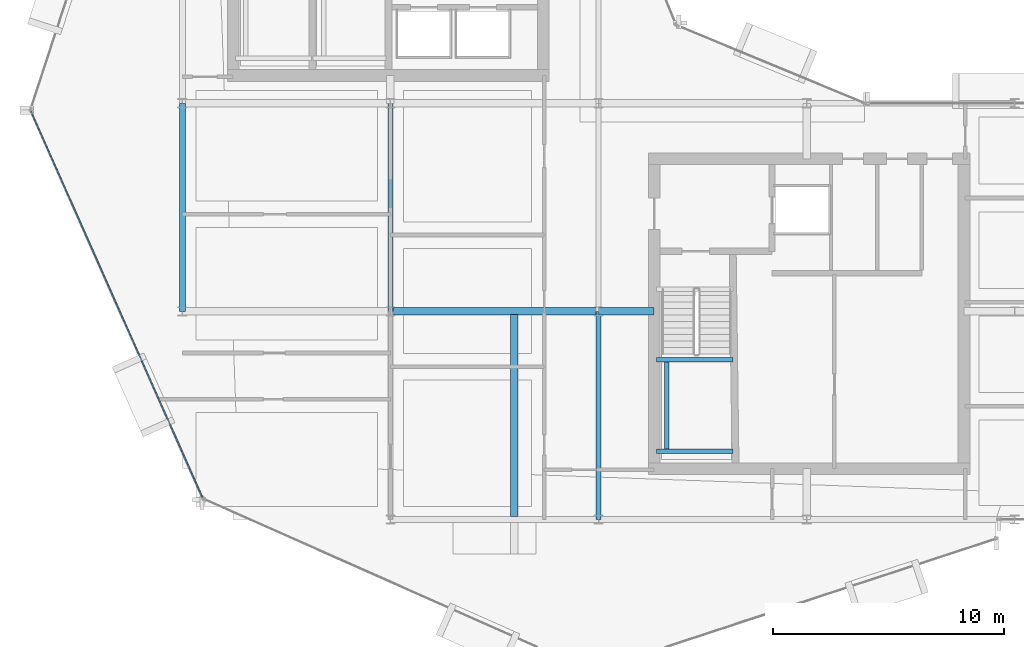
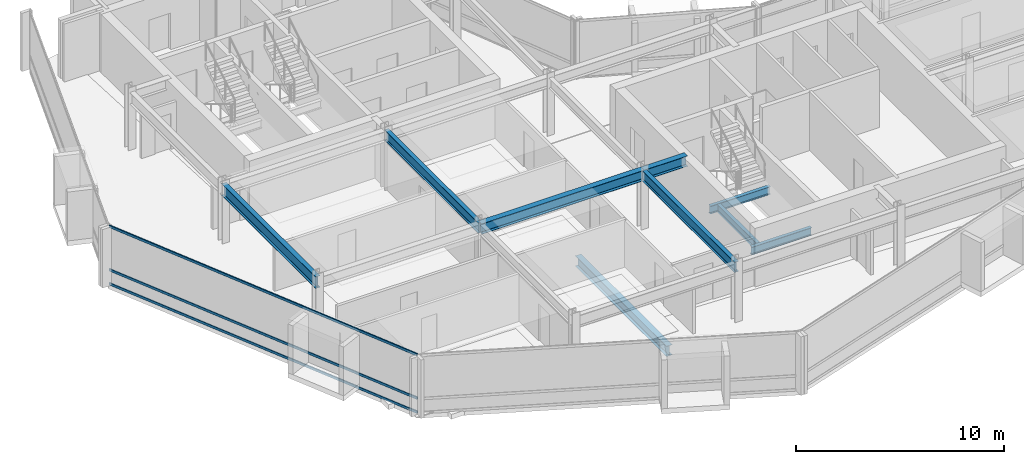
# One storey, part 5 of 28: 9 beams, 3 members, 1 element without a shape of its own.
"""IFC4 building model written with IfcOpenShell, lengths in metres."""

import ifcopenshell
import ifcopenshell.guid

model = None  # the IFC model being written
_history = None  # IfcOwnerHistory: only IFC2X3 demands one
_inside = {}  # id of a spatial element -> (the spatial element, [elements in it])
_under = {}  # id of a project, library or spatial element -> (it, [spatial elements below it])
_declared = {}  # id of a project -> (the project, [libraries it declares])
_typed = {}  # id of a type object -> (the type object, [elements of that type])
_made_of = {}  # id of a material, layer set ... -> (it, [elements and type objects made of it])


def new_model(schema):
    """Start an empty IFC model of exactly this schema.

    Asked for "IFC4X3", IfcOpenShell would pick the latest addendum, in which some entities
    have other attributes; the version numbers below select the first issue.
    IFC2X3 requires an IfcOwnerHistory on every rooted entity: one is made here for all.
    """
    global model, _history
    if schema == "IFC4X3":
        model = ifcopenshell.file(schema_version=(4, 3, 0, 0))
    else:
        model = ifcopenshell.file(schema=schema)
    _inside.clear()
    _under.clear()
    _declared.clear()
    _typed.clear()
    _made_of.clear()
    _history = None
    if model.schema == "IFC2X3":
        org = make("IfcOrganization", Name="unknown")
        user = make(
            "IfcPersonAndOrganization",
            ThePerson=make("IfcPerson", FamilyName="unknown"),
            TheOrganization=org,
        )
        app = make(
            "IfcApplication",
            ApplicationDeveloper=org,
            Version="unknown",
            ApplicationFullName="unknown",
            ApplicationIdentifier="unknown",
        )
        _history = make(
            "IfcOwnerHistory",
            OwningUser=user,
            OwningApplication=app,
            ChangeAction="ADDED",
            CreationDate=0,
        )
    return model


def make(cls, **values):
    """One entity of the class cls with the attributes given. An attribute that is None is left unset."""
    return model.create_entity(
        cls, **{name: value for name, value in values.items() if value is not None}
    )


def rooted(cls, **values):
    """An entity with a GlobalId (a new one), such as an element, a storey or a relation."""
    return make(cls, GlobalId=ifcopenshell.guid.new(), OwnerHistory=_history, **values)


def si_unit(unit_type, name, prefix=None):
    """IfcSIUnit, for example si_unit("LENGTHUNIT", "METRE", prefix="MILLI")."""
    return make("IfcSIUnit", UnitType=unit_type, Prefix=prefix, Name=name)


def assignment(units):
    """IfcUnitAssignment: the units of a project."""
    return None if units is None else make("IfcUnitAssignment", Units=units)


def point(xyz):
    """IfcCartesianPoint."""
    return None if xyz is None else make("IfcCartesianPoint", Coordinates=xyz)


def direction(xyz):
    """IfcDirection."""
    return None if xyz is None else make("IfcDirection", DirectionRatios=xyz)


def frame(location, z_axis=None, x_axis=None):
    """IfcAxis2Placement3D, a coordinate frame: its origin and axes. An axis left out is left unset."""
    return make(
        "IfcAxis2Placement3D",
        Location=point(location),
        Axis=direction(z_axis),
        RefDirection=direction(x_axis),
    )


def frame_2d(location, x_axis=None):
    """IfcAxis2Placement2D, a coordinate frame in the plane: its origin and x axis."""
    return make(
        "IfcAxis2Placement2D", Location=point(location), RefDirection=direction(x_axis)
    )


def origin():
    """The frame at (0, 0, 0) with its axes left unset."""
    return frame((0.0, 0.0, 0.0))


def origin_2d():
    """The frame at (0, 0) in the plane with its x axis left unset."""
    return frame_2d((0.0, 0.0))


def place(relative_to, where):
    """IfcLocalPlacement: puts the frame where relative to a parent placement (None: the world)."""
    return make(
        "IfcLocalPlacement", PlacementRelTo=relative_to, RelativePlacement=where
    )


def context(
    kind, dimensions, precision=None, world=None, true_north=None, identifier=None
):
    """IfcGeometricRepresentationContext, for example the 3D "Model" context."""
    return make(
        "IfcGeometricRepresentationContext",
        ContextIdentifier=identifier,
        ContextType=kind,
        CoordinateSpaceDimension=dimensions,
        Precision=precision,
        WorldCoordinateSystem=world,
        TrueNorth=true_north,
    )


def subcontext(parent, identifier, kind, view, scale=None):
    """IfcGeometricRepresentationSubContext, for example "Body" below "Model"."""
    return make(
        "IfcGeometricRepresentationSubContext",
        ContextIdentifier=identifier,
        ContextType=kind,
        ParentContext=parent,
        TargetScale=scale,
        TargetView=view,
    )


def project(units=None, contexts=None):
    """IfcProject with its units and contexts."""
    return rooted(
        "IfcProject",
        Name="project",
        RepresentationContexts=contexts,
        UnitsInContext=assignment(units),
    )


def spatial(cls, under=None, at=None, **own):
    """A site, building, storey or space (cls), placed at a placement, below another one or the project."""
    s = rooted(cls, ObjectPlacement=at, **own)
    if under is not None:
        _under.setdefault(under.id(), (under, []))[1].append(s)
    return s


def profile(cls, at=None, kind="AREA", **sizes):
    """A parametric profile (cls). Its sizes go by their IFC names, for example OverallWidth=200.0."""
    return make(cls, ProfileType=kind, Position=at, **sizes)


def hollow_rectangle(**sizes):
    """IfcRectangleHollowProfileDef."""
    return profile("IfcRectangleHollowProfileDef", **sizes)


def i_section(**sizes):
    """IfcIShapeProfileDef."""
    return profile("IfcIShapeProfileDef", **sizes)


def extrude(swept, where, along, depth):
    """IfcExtrudedAreaSolid: the profile swept, set in the frame where, extruded along a direction by depth."""
    return make(
        "IfcExtrudedAreaSolid",
        SweptArea=swept,
        Position=where,
        ExtrudedDirection=direction(along),
        Depth=depth,
    )


def shape(context_of_items, identifier, shape_type, items):
    """IfcShapeRepresentation: the items that make up one representation, for example the "Body"."""
    return make(
        "IfcShapeRepresentation",
        ContextOfItems=context_of_items,
        RepresentationIdentifier=identifier,
        RepresentationType=shape_type,
        Items=items,
    )


def material(Name=None, Category=None):
    """IfcMaterial."""
    return make("IfcMaterial", Name=Name, Category=Category)


def layer(
    of_material, thickness, ventilated=None, Name=None, Category=None, Priority=None
):
    """IfcMaterialLayer: one layer of a wall or slab, of a material (None: an air gap)."""
    return make(
        "IfcMaterialLayer",
        Material=of_material,
        LayerThickness=thickness,
        IsVentilated=ventilated,
        Name=Name,
        Category=Category,
        Priority=Priority,
    )


def layer_set(layers, Name=None):
    """IfcMaterialLayerSet."""
    return make("IfcMaterialLayerSet", MaterialLayers=layers, LayerSetName=Name)


def material_profile(
    of_material, cross_section, Name=None, Category=None, Priority=None
):
    """IfcMaterialProfile: a cross section and its material."""
    return make(
        "IfcMaterialProfile",
        Name=Name,
        Material=of_material,
        Profile=cross_section,
        Priority=Priority,
        Category=Category,
    )


def profile_set(profiles, Name=None, composite=None):
    """IfcMaterialProfileSet."""
    return make(
        "IfcMaterialProfileSet",
        Name=Name,
        MaterialProfiles=profiles,
        CompositeProfile=composite,
    )


def made_of(thing, what):
    """Note that an element or type object is made of a material, layer set ...; save() writes the relation."""
    if what is not None:
        _made_of.setdefault(what.id(), (what, []))[1].append(thing)
    return thing


def type_object(cls, material=None, **own):
    """A type object (cls), such as IfcWallType, which elements share."""
    return made_of(rooted(cls, **own), material)


def element(
    cls,
    number,
    at=None,
    inside=None,
    cuts=None,
    type_object=None,
    material=None,
    context=None,
    identifier="Body",
    shape_type=None,
    held_by="IfcProductDefinitionShape",
    body=None,
    shapes=None,
    **own,
):
    """One element of the class cls, such as IfcWall. Its Tag is "e" and its number.

    at: its placement. inside: the storey or other place that contains it. cuts: it is an
    opening in that element (IfcRelVoidsElement). A single representation is given by context,
    identifier, shape_type and body (its items); several are given by shapes. held_by: the class
    of the entity that holds the representations. save() writes the other relations.
    """
    e = rooted(cls, Tag="e%d" % number, ObjectPlacement=at, **own)
    if body is not None:
        shapes = [shape(context, identifier, shape_type, body)]
    if shapes is not None:
        e.Representation = make(held_by, Representations=shapes)
    if inside is not None:
        _inside.setdefault(inside.id(), (inside, []))[1].append(e)
    if cuts is not None:
        rooted(
            "IfcRelVoidsElement", RelatingBuildingElement=cuts, RelatedOpeningElement=e
        )
    if type_object is not None:
        _typed.setdefault(type_object.id(), (type_object, []))[1].append(e)
    return made_of(e, material)


def aggregate(whole, parts):
    """IfcRelAggregates: a whole, such as a stair, and the parts it consists of."""
    return rooted("IfcRelAggregates", RelatingObject=whole, RelatedObjects=parts)


def save(model, path):
    """Write the relations noted so far, then the file.

    IfcRelAggregates (storeys below a building ...), IfcRelContainedInSpatialStructure (elements
    in a storey), IfcRelDefinesByType, IfcRelAssociatesMaterial and IfcRelDeclares: one each for
    every whole, place, type object, material and project.
    """
    for whole, parts in _under.values():
        aggregate(whole, parts)
    for where, things in _inside.values():
        rooted(
            "IfcRelContainedInSpatialStructure",
            RelatedElements=things,
            RelatingStructure=where,
        )
    for kind, things in _typed.values():
        rooted("IfcRelDefinesByType", RelatedObjects=things, RelatingType=kind)
    for what, things in _made_of.values():
        rooted("IfcRelAssociatesMaterial", RelatedObjects=things, RelatingMaterial=what)
    for by, libraries in _declared.values():
        rooted("IfcRelDeclares", RelatingContext=by, RelatedDefinitions=libraries)
    model.write(path)


model = new_model("IFC4")

# Units and contexts
model_context = context("Model", 3, precision=1e-05, world=origin(), true_north=direction((0.0, 1.0)))
body_context = subcontext(model_context, "Body", "Model", "MODEL_VIEW")
ifc_project = project(units=[si_unit("LENGTHUNIT", "METRE"), si_unit("AREAUNIT", "SQUARE_METRE"), si_unit("VOLUMEUNIT", "CUBIC_METRE"), si_unit("PLANEANGLEUNIT", "RADIAN"), si_unit("MASSUNIT", "GRAM", prefix="KILO")], contexts=[model_context])

# Site, building, storey
site_placement = place(None, origin())
site = spatial("IfcSite", under=ifc_project, at=site_placement, CompositionType="ELEMENT")
building_placement = place(site_placement, origin())
building = spatial("IfcBuilding", under=site, at=building_placement, Name="Solvaryn Broadcast Tower", CompositionType="ELEMENT")
storey_placement = place(building_placement, frame((0.0, 0.0, 217.300048828125)))
storey = spatial("IfcBuildingStorey", under=building, at=storey_placement, Name="L54", CompositionType="ELEMENT", Elevation=217.300048828125)

# Beams
ifc_material_1 = material(Name="Steel ASTM A992 Grade 50", Category="steel")
ifc_material_profile_1 = material_profile(ifc_material_1, i_section(OverallWidth=0.323974609375, OverallDepth=0.611083984375, WebThickness=0.0126953125, FlangeThickness=0.01904296875, FilletRadius=0.014892578125, at=origin_2d()))
ifc_profile_set_1 = profile_set([ifc_material_profile_1], Name="Steel ASTM A992 Grade 50")
beam_type_1 = type_object("IfcBeamType", Name="BM-B1-W24X104", PredefinedType="BEAM", material=ifc_profile_set_1)
beam_1_placement = place(storey_placement, frame((23.35009765625, 17.875, -0.58544921875), z_axis=(0.0, -1.0, 0.0), x_axis=(1.0, 0.0, 0.0)))
element("IfcBeam", 1, at=beam_1_placement, inside=storey, type_object=beam_type_1, Name="L54 Bay-Box Back-Span Beam 1", PredefinedType="BEAM", context=body_context, shape_type="SweptSolid", body=[
    extrude(i_section(OverallWidth=0.323974609375, OverallDepth=0.611083984375, WebThickness=0.0126953125, FlangeThickness=0.01904296875, FilletRadius=0.014892578125, at=origin_2d()), origin(), (0.0, 0.0, 1.0), 8.75),
])
beam_2_placement = place(storey_placement, frame((18.0, 18.0, 3.114501953125), z_axis=(1.0, 0.0, 0.0), x_axis=(0.0, 1.0, 0.0)))
element("IfcBeam", 2, at=beam_2_placement, inside=storey, type_object=beam_type_1, Name="L54 Primary Beam X (18-27 @ Y=18)", PredefinedType="BEAM", context=body_context, shape_type="SweptSolid", body=[
    extrude(i_section(OverallWidth=0.323974609375, OverallDepth=0.611083984375, WebThickness=0.0126953125, FlangeThickness=0.01904296875, FilletRadius=0.014892578125, at=origin_2d()), origin(), (0.0, 0.0, 1.0), 9.0),
])
beam_3_placement = place(storey_placement, frame((27.0, 18.0, 3.114501953125), z_axis=(1.0, 0.0, 0.0), x_axis=(0.0, 1.0, 0.0)))
element("IfcBeam", 3, at=beam_3_placement, inside=storey, type_object=beam_type_1, Name="L54 Core Tie Beam CTE4", PredefinedType="BEAM", context=body_context, shape_type="SweptSolid", body=[
    extrude(i_section(OverallWidth=0.323974609375, OverallDepth=0.611083984375, WebThickness=0.0126953125, FlangeThickness=0.01904296875, FilletRadius=0.014892578125, at=origin_2d()), origin(), (0.0, 0.0, 1.0), 2.39990234375),
])
ifc_material_2 = material(Name="Steel ASTM A992 Grade 50", Category="steel")
ifc_material_profile_2 = material_profile(ifc_material_2, i_section(OverallWidth=0.22802734375, OverallDepth=0.60791015625, WebThickness=0.01123046875, FlangeThickness=0.017333984375, FilletRadius=0.014892578125, at=origin_2d()))
ifc_profile_set_2 = profile_set([ifc_material_profile_2], Name="Steel ASTM A992 Grade 50")
beam_type_2 = type_object("IfcBeamType", Name="BM-B2-W24X76", PredefinedType="BEAM", material=ifc_profile_set_2)
for number, where, z_axis, x_axis, name in (
    (4, (18.0, 18.0, 3.115966796875), (0.0, 1.0, 0.0), (-1.0, 0.0, 0.0), "L54 Primary Beam Y (18-27 @ X=18)"),
    (5, (27.0, 9.0, 3.115966796875), (0.0, 1.0, 0.0), (-1.0, 0.0, 0.0), "L54 Primary Beam Y (9-18 @ X=27)"),
):
    element("IfcBeam", number, at=place(storey_placement, frame(where, z_axis=z_axis, x_axis=x_axis)), inside=storey, type_object=beam_type_2, Name=name, PredefinedType="BEAM", context=body_context, shape_type="SweptSolid", body=[
        extrude(i_section(OverallWidth=0.22802734375, OverallDepth=0.60791015625, WebThickness=0.01123046875, FlangeThickness=0.017333984375, FilletRadius=0.014892578125, at=origin_2d()), origin(), (0.0, 0.0, 1.0), 9.0),
    ])
ifc_material_3 = material(Name="Steel ASTM A992 Grade 50", Category="steel")
ifc_material_profile_3 = material_profile(ifc_material_3, i_section(OverallWidth=0.18994140625, OverallDepth=0.45703125, WebThickness=0.009033203125, FlangeThickness=0.014404296875, FilletRadius=0.011962890625, at=origin_2d()))
ifc_profile_set_3 = profile_set([ifc_material_profile_3], Name="Steel ASTM A992 Grade 50")
beam_type_3 = type_object("IfcBeamType", Name="BM-B4-W18X50", PredefinedType="BEAM", material=ifc_profile_set_3)
for number, where, z_axis, x_axis, name in (
    (6, (29.5, 11.949951171875, 1.42138671875), (1.0, 0.0, 0.0), (0.0, 1.0, 0.0), "L54 ST3 Landing Support Beam 1A"),
    (7, (29.5, 15.909912109375, 1.42138671875), (1.0, 0.0, 0.0), (0.0, 1.0, 0.0), "L54 ST3 Landing Support Beam 1B"),
):
    element("IfcBeam", number, at=place(storey_placement, frame(where, z_axis=z_axis, x_axis=x_axis)), inside=storey, type_object=beam_type_3, Name=name, PredefinedType="BEAM", context=body_context, shape_type="SweptSolid", body=[
        extrude(i_section(OverallWidth=0.18994140625, OverallDepth=0.45703125, WebThickness=0.009033203125, FlangeThickness=0.014404296875, FilletRadius=0.011962890625, at=origin_2d()), origin(), (0.0, 0.0, 1.0), 3.320068359375),
    ])
beam_4_placement = place(storey_placement, frame((29.949951171875, 11.949951171875, 1.42138671875), z_axis=(0.0, 1.0, 0.0), x_axis=(-1.0, 0.0, 0.0)))
element("IfcBeam", 8, at=beam_4_placement, inside=storey, type_object=beam_type_3, Name="L54 ST3 Landing Cross Stringer 1C", PredefinedType="BEAM", context=body_context, shape_type="SweptSolid", body=[
    extrude(i_section(OverallWidth=0.18994140625, OverallDepth=0.45703125, WebThickness=0.009033203125, FlangeThickness=0.014404296875, FilletRadius=0.011962890625, at=origin_2d()), origin(), (0.0, 0.0, 1.0), 3.9599609375),
])
ifc_material_4 = material(Name="Steel ASTM A992 Grade 50", Category="steel")
ifc_material_profile_4 = material_profile(ifc_material_4, i_section(OverallWidth=0.256103515625, OverallDepth=0.693115234375, WebThickness=0.014404296875, FlangeThickness=0.023681640625, FilletRadius=0.01611328125, at=origin_2d()))
ifc_profile_set_4 = profile_set([ifc_material_profile_4], Name="Steel ASTM A992 Grade 50")
beam_type_4 = type_object("IfcBeamType", Name="BM-SP3-W27X114", PredefinedType="USERDEFINED", material=ifc_profile_set_4)
beam_5_placement = place(storey_placement, frame((9.0, 18.0, 3.073486328125), z_axis=(0.0, 1.0, 0.0), x_axis=(-1.0, 0.0, 0.0)))
element("IfcBeam", 9, at=beam_5_placement, inside=storey, type_object=beam_type_4, Name="L54 Spandrel Beam Y (18-27 @ X=9)", ObjectType="SPANDREL", PredefinedType="USERDEFINED", context=body_context, shape_type="SweptSolid", body=[
    extrude(i_section(OverallWidth=0.256103515625, OverallDepth=0.693115234375, WebThickness=0.014404296875, FlangeThickness=0.023681640625, FilletRadius=0.01611328125, at=origin_2d()), origin(), (0.0, 0.0, 1.0), 9.0),
])

# Curtain wall, members
ifc_material_5 = material(Name="Aluminium and Terracotta Unitised Curtain Wall", Category="masonry")
ifc_layer = layer(ifc_material_5, 0.199951171875)
ifc_layer_set = layer_set([ifc_layer], Name="CW-SYS2-LOWMID")
curtain_wall_type = type_object("IfcCurtainWallType", Name="CW-SYS2-LOWMID", PredefinedType="NOTDEFINED", material=ifc_layer_set)
curtain_wall_placement = place(storey_placement, origin())
curtain_wall = element("IfcCurtainWall", 10, at=curtain_wall_placement, inside=storey, type_object=curtain_wall_type, Name="L54 Curtain Wall DR2", PredefinedType="NOTDEFINED")
ifc_material_6 = material(Name="Anodised Aluminium 6063-T6", Category="aluminium")
ifc_material_profile_5 = material_profile(ifc_material_6, hollow_rectangle(XDim=0.06494140625, YDim=0.14990234375, WallThickness=0.00390625, InnerFilletRadius=0.00390625, OuterFilletRadius=0.008056640625, at=origin_2d()))
ifc_profile_set_5 = profile_set([ifc_material_profile_5], Name="Anodised Aluminium 6063-T6")
member_type = type_object("IfcMemberType", Name="CW-TRN-150", PredefinedType="USERDEFINED", material=ifc_profile_set_5)
member_1_placement = place(storey_placement, frame((2.457275390625, 26.651123046875, 0.030029296875), z_axis=(0.405901653299, -0.913916761992, 0.0), x_axis=(0.913916761992, 0.405901653299, 0.0)))
member_1 = element("IfcMember", 11, at=member_1_placement, type_object=member_type, Name="CWS2 transom 1.1", ObjectType="TRANSOM", PredefinedType="USERDEFINED", context=body_context, shape_type="SweptSolid", body=[
    extrude(hollow_rectangle(XDim=0.06494140625, YDim=0.14990234375, WallThickness=0.00390625, InnerFilletRadius=0.00390625, OuterFilletRadius=0.008056640625, at=origin_2d()), origin(), (0.0, 0.0, 1.0), 18.27099609375),
])
member_2_placement = place(storey_placement, frame((2.457275390625, 26.651123046875, 0.849853515625), z_axis=(0.405901653299, -0.913916761992, 0.0), x_axis=(0.913916761992, 0.405901653299, 0.0)))
member_2 = element("IfcMember", 12, at=member_2_placement, type_object=member_type, Name="CWS2 transom 1.2", ObjectType="TRANSOM", PredefinedType="USERDEFINED", context=body_context, shape_type="SweptSolid", body=[
    extrude(hollow_rectangle(XDim=0.06494140625, YDim=0.14990234375, WallThickness=0.00390625, InnerFilletRadius=0.00390625, OuterFilletRadius=0.008056640625, at=origin_2d()), origin(), (0.0, 0.0, 1.0), 18.27099609375),
])
member_3_placement = place(storey_placement, frame((2.457275390625, 26.651123046875, 3.389892578125), z_axis=(0.405901653299, -0.913916761992, 0.0), x_axis=(0.913916761992, 0.405901653299, 0.0)))
member_3 = element("IfcMember", 13, at=member_3_placement, type_object=member_type, Name="CWS2 transom 1.3", ObjectType="TRANSOM", PredefinedType="USERDEFINED", context=body_context, shape_type="SweptSolid", body=[
    extrude(hollow_rectangle(XDim=0.06494140625, YDim=0.14990234375, WallThickness=0.00390625, InnerFilletRadius=0.00390625, OuterFilletRadius=0.008056640625, at=origin_2d()), origin(), (0.0, 0.0, 1.0), 18.27099609375),
])
aggregate(curtain_wall, [member_1, member_2, member_3])

save(model, "model.ifc")
